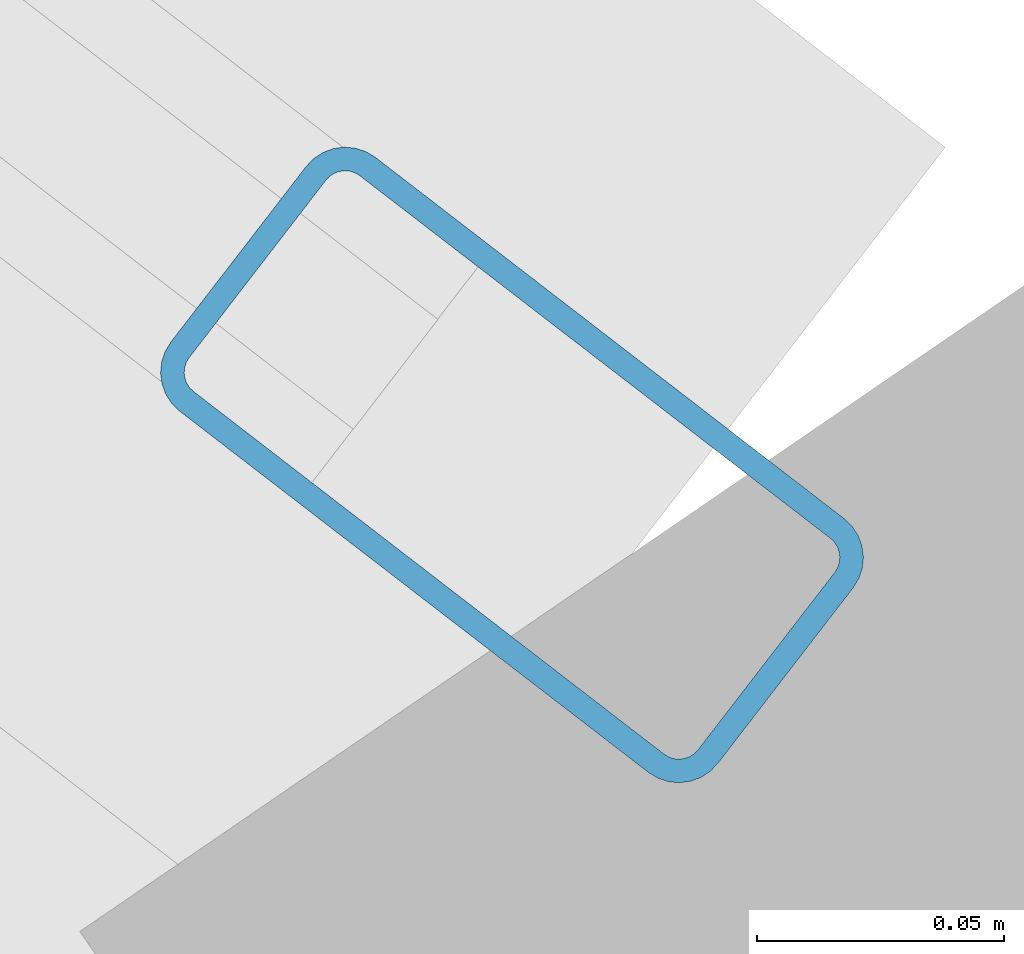
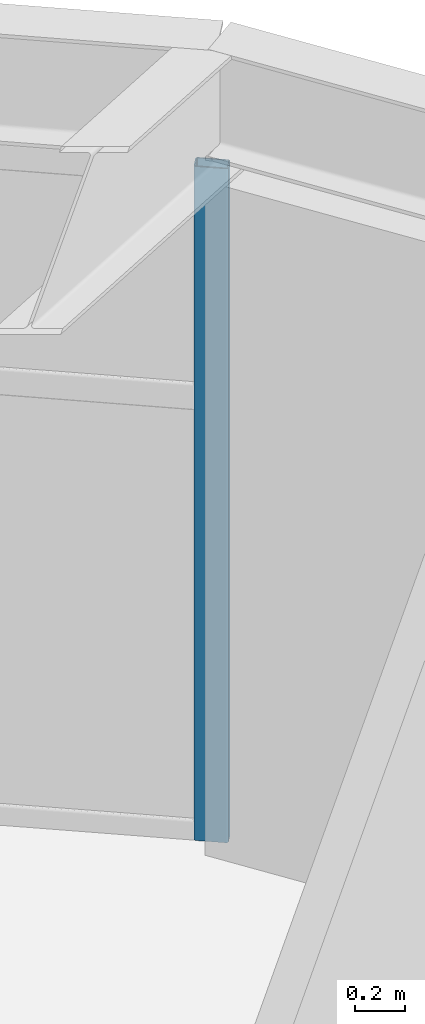
# One storey, part 11 of 20: 1 member, 1 element without a shape of its own.
"""IFC4 building model written with IfcOpenShell, lengths in metres."""

from ifc_helpers import new_model, si_unit, direction, frame, origin, origin_2d, place, context, subcontext, project, spatial, hollow_rectangle, extrude, material, layer, layer_set, material_profile, profile_set, type_object, element, aggregate, save


model = new_model("IFC4")

# Units and contexts
model_context = context("Model", 3, precision=1e-05, world=origin(), true_north=direction((0.0, 1.0)))
body_context = subcontext(model_context, "Body", "Model", "MODEL_VIEW")
ifc_project = project(units=[si_unit("LENGTHUNIT", "METRE"), si_unit("AREAUNIT", "SQUARE_METRE"), si_unit("VOLUMEUNIT", "CUBIC_METRE"), si_unit("PLANEANGLEUNIT", "RADIAN"), si_unit("MASSUNIT", "GRAM", prefix="KILO")], contexts=[model_context])

# Site, building, storey
site_placement = place(None, origin())
site = spatial("IfcSite", under=ifc_project, at=site_placement, CompositionType="ELEMENT")
building_placement = place(site_placement, origin())
building = spatial("IfcBuilding", under=site, at=building_placement, Name="Soratama Intermodal Tower", CompositionType="ELEMENT")
storey_placement = place(building_placement, frame((0.0, 0.0, 293.050048828125)))
storey = spatial("IfcBuildingStorey", under=building, at=storey_placement, Name="L74", CompositionType="ELEMENT", Elevation=293.050048828125)

# Curtain wall, member
ifc_material_1 = material(Name="Double-glazed aluminium curtain wall", Category="aluminium")
ifc_layer = layer(ifc_material_1, 0.159912109375)
ifc_layer_set = layer_set([ifc_layer], Name="Double-glazed aluminium curtain wall")
curtain_wall_type = type_object("IfcCurtainWallType", Name="CW-SYS-6", PredefinedType="NOTDEFINED", material=ifc_layer_set)
curtain_wall_placement = place(storey_placement, origin())
curtain_wall = element("IfcCurtainWall", 1, at=curtain_wall_placement, inside=storey, type_object=curtain_wall_type, Name="L74 Faceted Curtain Wall F10", PredefinedType="NOTDEFINED")
ifc_material_2 = material(Name="Anodised aluminium AA 6063-T6", Category="aluminium")
ifc_material_profile = material_profile(ifc_material_2, hollow_rectangle(XDim=0.06494140625, YDim=0.139892578125, WallThickness=0.0048828125, InnerFilletRadius=0.0048828125, OuterFilletRadius=0.010009765625, at=origin_2d()), Name="CWM140X65X5")
ifc_profile_set = profile_set([ifc_material_profile], Name="Anodised aluminium AA 6063-T6")
member_type = type_object("IfcMemberType", Name="MT-CWM-6", PredefinedType="MULLION", material=ifc_profile_set)
member_placement = place(storey_placement, frame((55.666259765625, 35.90869140625, 0.0), z_axis=(0.0, 0.0, 1.0), x_axis=(-0.61042127444, -0.79207693295, 0.0)))
member = element("IfcMember", 2, at=member_placement, type_object=member_type, Name="CW-6 mullion 1", PredefinedType="MULLION", context=body_context, shape_type="SweptSolid", body=[
    extrude(hollow_rectangle(XDim=0.06494140625, YDim=0.139892578125, WallThickness=0.0048828125, InnerFilletRadius=0.0048828125, OuterFilletRadius=0.010009765625, at=origin_2d()), origin(), (0.0, 0.0, 1.0), 3.27392578125),
])
aggregate(curtain_wall, [member])

save(model, "model.ifc")
